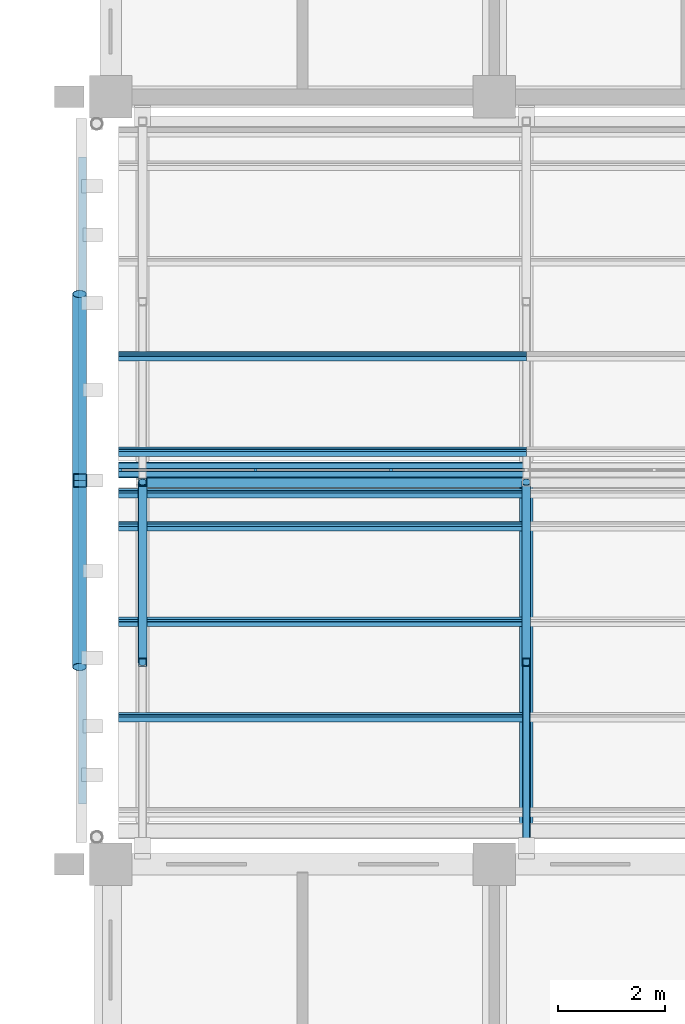
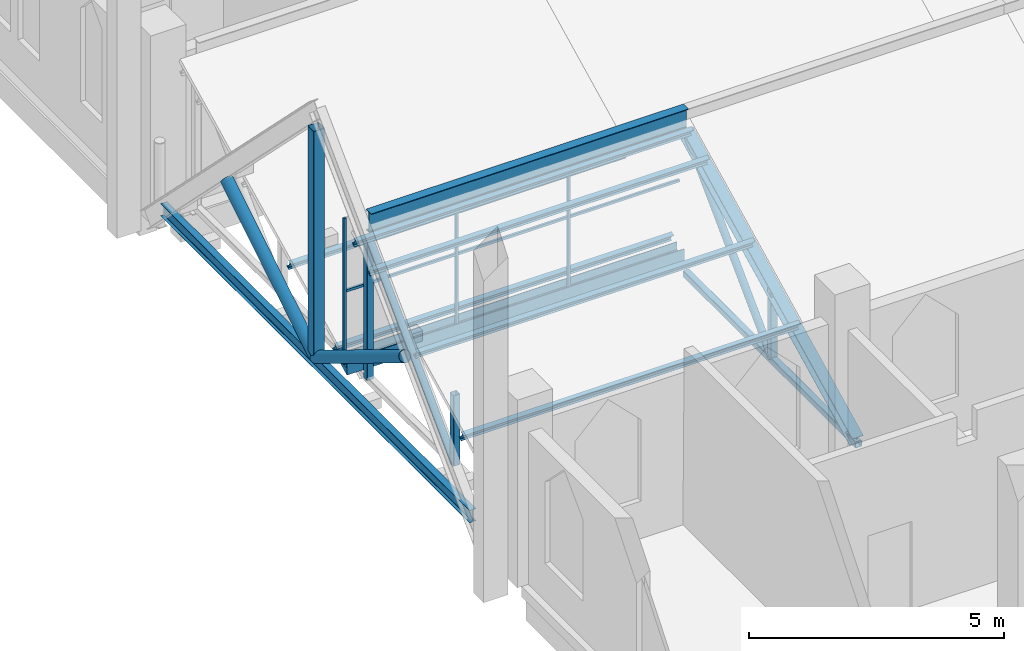
# One storey, part 3 of 29: 25 members, 1 element without a shape of its own.
"""IFC4 building model written with IfcOpenShell, lengths in metres."""

from ifc_helpers import new_model, si_unit, direction, frame, origin, origin_2d, place, context, subcontext, project, spatial, polyline, rectangle, hollow_rectangle, hollow_circle, i_section, outline, extrude, material, material_profile, profile_set, type_object, element, aggregate, save


model = new_model("IFC4")

# Units and contexts
model_context = context("Model", 3, precision=1e-05, world=origin(), true_north=direction((0.0, 1.0)))
body_context = subcontext(model_context, "Body", "Model", "MODEL_VIEW")
ifc_project = project(units=[si_unit("LENGTHUNIT", "METRE"), si_unit("AREAUNIT", "SQUARE_METRE"), si_unit("VOLUMEUNIT", "CUBIC_METRE"), si_unit("PLANEANGLEUNIT", "RADIAN"), si_unit("MASSUNIT", "GRAM", prefix="KILO")], contexts=[model_context])

# Site, building, storey
site_placement = place(None, origin())
site = spatial("IfcSite", under=ifc_project, at=site_placement, CompositionType="ELEMENT")
building_placement = place(site_placement, origin())
building = spatial("IfcBuilding", under=site, at=building_placement, Name="Silangan Lancet Faculty of Sciences", CompositionType="ELEMENT")
storey_placement = place(building_placement, frame((0.0, 0.0, 40.800048828125)))
storey = spatial("IfcBuildingStorey", under=building, at=storey_placement, Name="L08", CompositionType="ELEMENT", Elevation=40.800048828125)

# Members
ifc_material_1 = material(Name="Steel SS400", Category="steel")
ifc_material_profile_1 = material_profile(ifc_material_1, i_section(OverallWidth=0.14990234375, OverallDepth=0.300048828125, WebThickness=0.006591796875, FlangeThickness=0.009033203125, FilletRadius=0.012939453125, at=origin_2d()), Name="H 300x150x6.5x9")
ifc_profile_set_1 = profile_set([ifc_material_profile_1], Name="Steel SS400")
member_type_1 = type_object("IfcMemberType", Name="Canopy rafter H 300x150x6.5x9", PredefinedType="RAFTER", material=ifc_profile_set_1)
member_1_placement = place(storey_placement, frame((-0.52490234375, 22.73291015625, 0.849853515625), z_axis=(0.0, 1.0, 0.0), x_axis=(-1.0, 0.0, 0.0)))
element("IfcMember", 1, at=member_1_placement, inside=storey, type_object=member_type_1, Name="Gable truss tie", PredefinedType="RAFTER", context=body_context, shape_type="SweptSolid", body=[
    extrude(i_section(OverallWidth=0.14990234375, OverallDepth=0.300048828125, WebThickness=0.006591796875, FlangeThickness=0.009033203125, FilletRadius=0.012939453125, at=origin_2d()), origin(), (0.0, 0.0, 1.0), 12.13427734375),
])
ifc_material_2 = material(Name="Steel SS400", Category="steel")
ifc_material_profile_2 = material_profile(ifc_material_2, i_section(OverallWidth=0.199951171875, OverallDepth=0.5, WebThickness=0.010009765625, FlangeThickness=0.01611328125, FilletRadius=0.02001953125, at=origin_2d()), Name="H 500x200x10x16")
ifc_profile_set_2 = profile_set([ifc_material_profile_2], Name="Steel SS400")
member_type_2 = type_object("IfcMemberType", Name="Exposed ridge beam H 500x200x10x16", PredefinedType="MEMBER", material=ifc_profile_set_2)
member_2_placement = place(storey_placement, frame((0.60009765625, 28.77001953125, 3.836669921875), z_axis=(1.0, 0.0, 0.0), x_axis=(0.0, 1.0, 0.0)))
element("IfcMember", 2, at=member_2_placement, inside=storey, type_object=member_type_2, Name="Exposed ridge beam ATRIUM-1-1", PredefinedType="MEMBER", context=body_context, shape_type="SweptSolid", body=[
    extrude(i_section(OverallWidth=0.199951171875, OverallDepth=0.5, WebThickness=0.010009765625, FlangeThickness=0.01611328125, FilletRadius=0.02001953125, at=origin_2d()), origin(), (0.0, 0.0, 1.0), 7.199951171875),
])
ifc_material_3 = material(Name="Steel STKR400", Category="steel")
ifc_material_profile_3 = material_profile(ifc_material_3, hollow_rectangle(XDim=0.25, YDim=0.25, WallThickness=0.009033203125, InnerFilletRadius=0.009033203125, OuterFilletRadius=0.01806640625, at=origin_2d()), Name="SHS 250x250x9.0")
ifc_profile_set_3 = profile_set([ifc_material_profile_3], Name="Steel STKR400")
member_type_3 = type_object("IfcMemberType", Name="Gable truss post SHS 250x250x9.0", PredefinedType="POST", material=ifc_profile_set_3)
member_3_placement = place(storey_placement, frame((-0.574951171875, 28.800048828125, 1.0), z_axis=(0.0, 0.0, 1.0), x_axis=(1.0, 0.0, 0.0)))
element("IfcMember", 3, at=member_3_placement, inside=storey, type_object=member_type_3, Name="Gable truss king post", PredefinedType="POST", context=body_context, shape_type="SweptSolid", body=[
    extrude(hollow_rectangle(XDim=0.25, YDim=0.25, WallThickness=0.009033203125, InnerFilletRadius=0.009033203125, OuterFilletRadius=0.01806640625, at=origin_2d()), origin(), (0.0, 0.0, 1.0), 5.50927734375),
])
ifc_material_4 = material(Name="Steel STK400", Category="steel")
ifc_material_profile_4 = material_profile(ifc_material_4, hollow_circle(Radius=0.1337890625, WallThickness=0.008056640625, at=origin_2d()), Name="CHS 267.4x8.0")
ifc_profile_set_4 = profile_set([ifc_material_profile_4], Name="Steel STK400")
member_type_4 = type_object("IfcMemberType", Name="Gable truss strut CHS 267.4x8.0", PredefinedType="BRACE", material=ifc_profile_set_4)
for number, where, z_axis, x_axis, name in (
    (4, (-0.583740234375, 28.800048828125, 1.0), (0.0, -0.853781971093, 0.520630719259), (1.0, 0.0, 0.0), "Gable truss strut A"),
    (5, (-0.583740234375, 28.800048828125, 1.0), (0.0, 0.853781971093, 0.520630719259), (-1.0, 0.0, 0.0), "Gable truss strut B"),
):
    element("IfcMember", number, at=place(storey_placement, frame(where, z_axis=z_axis, x_axis=x_axis)), inside=storey, type_object=member_type_4, Name=name, PredefinedType="BRACE", context=body_context, shape_type="SweptSolid", body=[
        extrude(hollow_circle(Radius=0.1337890625, WallThickness=0.008056640625, at=origin_2d()), origin(), (0.0, 0.0, 1.0), 4.099365234375),
    ])

# Curtain wall, members
ifc_material_5 = material(Name="Aluminium and laminated glass", Category="aluminium")
curtain_wall_type = type_object("IfcCurtainWallType", Name="North light glazing system", PredefinedType="NOTDEFINED", material=ifc_material_5)
curtain_wall_placement = place(storey_placement, origin())
curtain_wall = element("IfcCurtainWall", 6, at=curtain_wall_placement, inside=storey, type_object=curtain_wall_type, Name="North light glazing ATRIUM-1-1", PredefinedType="NOTDEFINED")
ifc_material_6 = material(Name="Aluminium 6063-T6", Category="aluminium")
ifc_material_profile_5 = material_profile(ifc_material_6, rectangle(XDim=0.06005859375, YDim=0.050048828125, at=origin_2d()), Name="AL 60x50")
ifc_profile_set_5 = profile_set([ifc_material_profile_5], Name="Aluminium 6063-T6")
member_type_5 = type_object("IfcMemberType", Name="North light mullion 60x50", PredefinedType="MULLION", material=ifc_profile_set_5)
member_4_placement = place(storey_placement, frame((0.179931640625, 28.9951171875, 0.442138671875), z_axis=(0.0, 0.0, 1.0), x_axis=(1.0, 0.0, 0.0)))
member_4 = element("IfcMember", 7, at=member_4_placement, type_object=member_type_5, Name="North light mullion ATRIUM-1-1 1", PredefinedType="MULLION", context=body_context, shape_type="SweptSolid", body=[
    extrude(rectangle(XDim=0.06005859375, YDim=0.050048828125, at=origin_2d()), origin(), (0.0, 0.0, 1.0), 3.502197265625),
])
member_5_placement = place(storey_placement, frame((2.719970703125, 28.9951171875, 0.442138671875), z_axis=(0.0, 0.0, 1.0), x_axis=(1.0, 0.0, 0.0)))
member_5 = element("IfcMember", 8, at=member_5_placement, type_object=member_type_5, Name="North light mullion ATRIUM-1-1 2", PredefinedType="MULLION", context=body_context, shape_type="SweptSolid", body=[
    extrude(rectangle(XDim=0.06005859375, YDim=0.050048828125, at=origin_2d()), origin(), (0.0, 0.0, 1.0), 3.502197265625),
])
member_6_placement = place(storey_placement, frame((5.260009765625, 28.9951171875, 0.442138671875), z_axis=(0.0, 0.0, 1.0), x_axis=(1.0, 0.0, 0.0)))
member_6 = element("IfcMember", 9, at=member_6_placement, type_object=member_type_5, Name="North light mullion ATRIUM-1-1 3", PredefinedType="MULLION", context=body_context, shape_type="SweptSolid", body=[
    extrude(rectangle(XDim=0.06005859375, YDim=0.050048828125, at=origin_2d()), origin(), (0.0, 0.0, 1.0), 3.502197265625),
])
ifc_material_7 = material(Name="Aluminium 6063-T6", Category="aluminium")
ifc_material_profile_6 = material_profile(ifc_material_7, rectangle(XDim=0.050048828125, YDim=0.06005859375, at=origin_2d()), Name="AL 50x60")
ifc_profile_set_6 = profile_set([ifc_material_profile_6], Name="Aluminium 6063-T6")
member_type_6 = type_object("IfcMemberType", Name="North light transom 50x60", PredefinedType="USERDEFINED", material=ifc_profile_set_6)
member_7_placement = place(storey_placement, frame((0.14990234375, 28.9951171875, 2.193359375), z_axis=(1.0, 0.0, 0.0), x_axis=(0.0, 1.0, 0.0)))
member_7 = element("IfcMember", 10, at=member_7_placement, type_object=member_type_6, Name="North light transom ATRIUM-1-1 1", ObjectType="TRANSOM", PredefinedType="USERDEFINED", context=body_context, shape_type="SweptSolid", body=[
    extrude(rectangle(XDim=0.050048828125, YDim=0.06005859375, at=origin_2d()), origin(), (0.0, 0.0, 1.0), 2.5400390625),
])
member_8_placement = place(storey_placement, frame((2.75, 28.9951171875, 2.193359375), z_axis=(1.0, 0.0, 0.0), x_axis=(0.0, 1.0, 0.0)))
member_8 = element("IfcMember", 11, at=member_8_placement, type_object=member_type_6, Name="North light transom ATRIUM-1-1 2", ObjectType="TRANSOM", PredefinedType="USERDEFINED", context=body_context, shape_type="SweptSolid", body=[
    extrude(rectangle(XDim=0.050048828125, YDim=0.06005859375, at=origin_2d()), origin(), (0.0, 0.0, 1.0), 2.47998046875),
])
member_9_placement = place(storey_placement, frame((5.2900390625, 28.9951171875, 2.193359375), z_axis=(1.0, 0.0, 0.0), x_axis=(0.0, 1.0, 0.0)))
member_9 = element("IfcMember", 12, at=member_9_placement, type_object=member_type_6, Name="North light transom ATRIUM-1-1 3", ObjectType="TRANSOM", PredefinedType="USERDEFINED", context=body_context, shape_type="SweptSolid", body=[
    extrude(rectangle(XDim=0.050048828125, YDim=0.06005859375, at=origin_2d()), origin(), (0.0, 0.0, 1.0), 2.47998046875),
])
aggregate(curtain_wall, [member_4, member_5, member_6, member_7, member_8, member_9])

# Members
ifc_material_8 = material(Name="Steel SS400", Category="steel")
ifc_material_profile_7 = material_profile(ifc_material_8, i_section(OverallWidth=0.10009765625, OverallDepth=0.199951171875, WebThickness=0.005615234375, FlangeThickness=0.008056640625, FilletRadius=0.008056640625, at=origin_2d()), Name="H 200x100x5.5x8")
ifc_profile_set_7 = profile_set([ifc_material_profile_7], Name="Steel SS400")
member_type_7 = type_object("IfcMemberType", Name="Sheeting purlin H 200x100x5.5x8", PredefinedType="PURLIN", material=ifc_profile_set_7)
for number, where, z_axis, x_axis, name in (
    (13, (0.14990234375, 24.359130859375, 1.526123046875), (1.0, 0.0, 0.0), (0.0, 0.894427192382, 0.447213592736), "Sheeting purlin ATRIUM-1-1 2"),
    (14, (0.14990234375, 26.14794921875, 2.42041015625), (1.0, 0.0, 0.0), (0.0, 0.894427192382, 0.447213592736), "Sheeting purlin ATRIUM-1-1 3"),
    (15, (0.14990234375, 27.936767578125, 3.31494140625), (1.0, 0.0, 0.0), (0.0, 0.894427192382, 0.447213592736), "Sheeting purlin ATRIUM-1-1 4"),
    (16, (0.14990234375, 28.56201171875, 3.62744140625), (1.0, 0.0, 0.0), (0.0, 0.894427192382, 0.447213592736), "Sheeting purlin ATRIUM-1-1 5"),
    (17, (0.14990234375, 29.340087890625, 0.631591796875), (1.0, 0.0, 0.0), (0.0, 0.894427192382, 0.447213592736), "Sheeting purlin ATRIUM-2-1 1"),
    (18, (0.14990234375, 31.129150390625, 1.526123046875), (1.0, 0.0, 0.0), (0.0, 0.894427192382, 0.447213592736), "Sheeting purlin ATRIUM-2-1 2"),
):
    element("IfcMember", number, at=place(storey_placement, frame(where, z_axis=z_axis, x_axis=x_axis)), inside=storey, type_object=member_type_7, Name=name, PredefinedType="PURLIN", context=body_context, shape_type="SweptSolid", body=[
        extrude(i_section(OverallWidth=0.10009765625, OverallDepth=0.199951171875, WebThickness=0.005615234375, FlangeThickness=0.008056640625, FilletRadius=0.008056640625, at=origin_2d()), origin(), (0.0, 0.0, 1.0), 7.650146484375),
    ])
ifc_material_9 = material(Name="Steel STKR400", Category="steel")
ifc_material_profile_8 = material_profile(ifc_material_9, hollow_rectangle(XDim=0.14990234375, YDim=0.14990234375, WallThickness=0.009033203125, InnerFilletRadius=0.009033203125, OuterFilletRadius=0.01806640625, at=origin_2d()), Name="SHS 150x150x9.0")
ifc_profile_set_8 = profile_set([ifc_material_profile_8], Name="Steel STKR400")
member_type_8 = type_object("IfcMemberType", Name="Truss bottom chord SHS 150x150x9.0", PredefinedType="CHORD", material=ifc_profile_set_8)
member_10_placement = place(storey_placement, frame((7.800048828125, 22.0, 0.094970703125), z_axis=(0.0, 1.0, 0.0), x_axis=(-1.0, 0.0, 0.0)))
element("IfcMember", 19, at=member_10_placement, inside=storey, type_object=member_type_8, Name="Truss 2 bottom chord 1", PredefinedType="CHORD", context=body_context, shape_type="SweptSolid", body=[
    extrude(hollow_rectangle(XDim=0.14990234375, YDim=0.14990234375, WallThickness=0.009033203125, InnerFilletRadius=0.009033203125, OuterFilletRadius=0.01806640625, at=origin_2d()), origin(), (0.0, 0.0, 1.0), 6.77001953125),
])
ifc_material_10 = material(Name="Steel STK400", Category="steel")
ifc_material_profile_9 = material_profile(ifc_material_10, hollow_circle(Radius=0.08251953125, WallThickness=0.0048828125, at=origin_2d()), Name="CHS 165.2x5.0")
ifc_profile_set_9 = profile_set([ifc_material_profile_9], Name="Steel STK400")
member_type_9 = type_object("IfcMemberType", Name="Truss diagonal CHS 165.2x5.0", PredefinedType="BRACE", material=ifc_profile_set_9)
for number, where, z_axis, x_axis, name in (
    (20, (0.60009765625, 25.385009765625, 0.094970703125), (0.0, 0.707106781187, 0.707106781187), (-1.0, 0.0, 0.0), "Truss 1 diagonal 1"),
    (21, (7.800048828125, 25.385009765625, 0.094970703125), (0.0, 0.707106781187, 0.707106781187), (-1.0, 0.0, 0.0), "Truss 2 diagonal 1"),
):
    element("IfcMember", number, at=place(storey_placement, frame(where, z_axis=z_axis, x_axis=x_axis)), inside=storey, type_object=member_type_9, Name=name, PredefinedType="BRACE", context=body_context, shape_type="SweptSolid", body=[
        extrude(hollow_circle(Radius=0.08251953125, WallThickness=0.0048828125, at=origin_2d()), origin(), (0.0, 0.0, 1.0), 4.787109375),
    ])
ifc_material_11 = material(Name="Steel STKR400", Category="steel")
ifc_material_profile_10 = material_profile(ifc_material_11, hollow_rectangle(XDim=0.14990234375, YDim=0.14990234375, WallThickness=0.006103515625, InnerFilletRadius=0.006103515625, OuterFilletRadius=0.011962890625, at=origin_2d()), Name="SHS 150x150x6.0")
ifc_profile_set_10 = profile_set([ifc_material_profile_10], Name="Steel STKR400")
member_type_10 = type_object("IfcMemberType", Name="Truss post SHS 150x150x6.0", PredefinedType="POST", material=ifc_profile_set_10)
member_11_placement = place(storey_placement, frame((0.60009765625, 28.77001953125, 0.094970703125), z_axis=(0.0, 0.0, 1.0), x_axis=(1.0, 0.0, 0.0)))
element("IfcMember", 22, at=member_11_placement, inside=storey, type_object=member_type_10, Name="Truss 1 riser post 1", PredefinedType="POST", context=body_context, shape_type="SweptSolid", body=[
    extrude(hollow_rectangle(XDim=0.14990234375, YDim=0.14990234375, WallThickness=0.006103515625, InnerFilletRadius=0.006103515625, OuterFilletRadius=0.011962890625, at=origin_2d()), origin(), (0.0, 0.0, 1.0), 3.385009765625),
])
for number, where, z_axis, x_axis, name in (
    (23, (0.60009765625, 25.385009765625, 0.094970703125), (0.0, 0.0, 1.0), (1.0, 0.0, 0.0), "Truss 1 mid post 1"),
    (24, (7.800048828125, 25.385009765625, 0.094970703125), (0.0, 0.0, 1.0), (1.0, 0.0, 0.0), "Truss 2 mid post 1"),
):
    element("IfcMember", number, at=place(storey_placement, frame(where, z_axis=z_axis, x_axis=x_axis)), inside=storey, type_object=member_type_10, Name=name, PredefinedType="POST", context=body_context, shape_type="SweptSolid", body=[
        extrude(hollow_rectangle(XDim=0.14990234375, YDim=0.14990234375, WallThickness=0.006103515625, InnerFilletRadius=0.006103515625, OuterFilletRadius=0.011962890625, at=origin_2d()), origin(), (0.0, 0.0, 1.0), 1.6923828125),
    ])
ifc_material_12 = material(Name="Steel SS400", Category="steel")
ifc_material_profile_11 = material_profile(ifc_material_12, i_section(OverallWidth=0.25, OverallDepth=0.25, WebThickness=0.009033203125, FlangeThickness=0.013916015625, FilletRadius=0.01611328125, at=origin_2d()), Name="H 250x250x9x14")
ifc_profile_set_11 = profile_set([ifc_material_profile_11], Name="Steel SS400")
member_type_11 = type_object("IfcMemberType", Name="Truss top chord H 250x250x9x14", PredefinedType="CHORD", material=ifc_profile_set_11)
member_12_placement = place(storey_placement, frame((7.800048828125, 22.08056640625, 0.13525390625), z_axis=(0.0, 0.894427191, 0.4472135955), x_axis=(-1.0, 0.0, 0.0)))
element("IfcMember", 25, at=member_12_placement, inside=storey, type_object=member_type_11, Name="Truss 2 top chord 1", PredefinedType="CHORD", context=body_context, shape_type="SweptSolid", body=[
    extrude(i_section(OverallWidth=0.25, OverallDepth=0.25, WebThickness=0.009033203125, FlangeThickness=0.013916015625, FilletRadius=0.01611328125, at=origin_2d()), origin(), (0.0, 0.0, 1.0), 7.47900390625),
])
ifc_material_13 = material(Name="Stainless steel", Category="steel")
ifc_material_profile_12 = material_profile(ifc_material_13, outline(polyline([(-0.14990234375, 0.0), (0.14990234375, 0.14990234375), (0.14990234375, 0.35009765625), (0.1298828125, 0.35009765625), (0.1298828125, 0.169921875), (-0.1298828125, 0.169921875), (-0.1298828125, 0.35009765625), (-0.14990234375, 0.35009765625), (-0.14990234375, 0.0)])), Name="valley gutter")
ifc_profile_set_12 = profile_set([ifc_material_profile_12], Name="Stainless steel")
member_type_12 = type_object("IfcMemberType", Name="Valley gutter 300 wide", PredefinedType="USERDEFINED", material=ifc_profile_set_12)
member_13_placement = place(storey_placement, frame((0.14990234375, 28.9951171875, 0.272216796875), z_axis=(1.0, 0.0, 0.0), x_axis=(0.0, 1.0, 0.0)))
element("IfcMember", 26, at=member_13_placement, inside=storey, type_object=member_type_12, Name="Valley gutter ATRIUM-2-1", ObjectType="GUTTER", PredefinedType="USERDEFINED", context=body_context, shape_type="SweptSolid", body=[
    extrude(outline(polyline([(-0.14990234375, 0.0), (0.14990234375, 0.14990234375), (0.14990234375, 0.35009765625), (0.1298828125, 0.35009765625), (0.1298828125, 0.169921875), (-0.1298828125, 0.169921875), (-0.1298828125, 0.35009765625), (-0.14990234375, 0.35009765625), (-0.14990234375, 0.0)])), origin(), (0.0, 0.0, 1.0), 7.650146484375),
])

save(model, "model.ifc")
